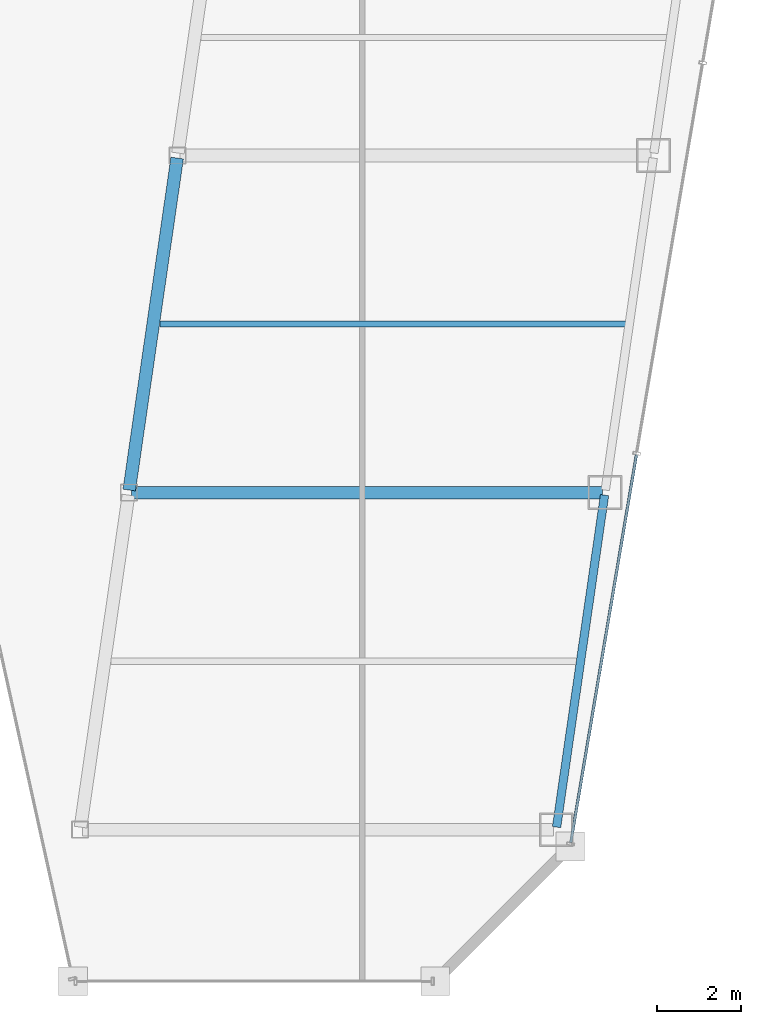
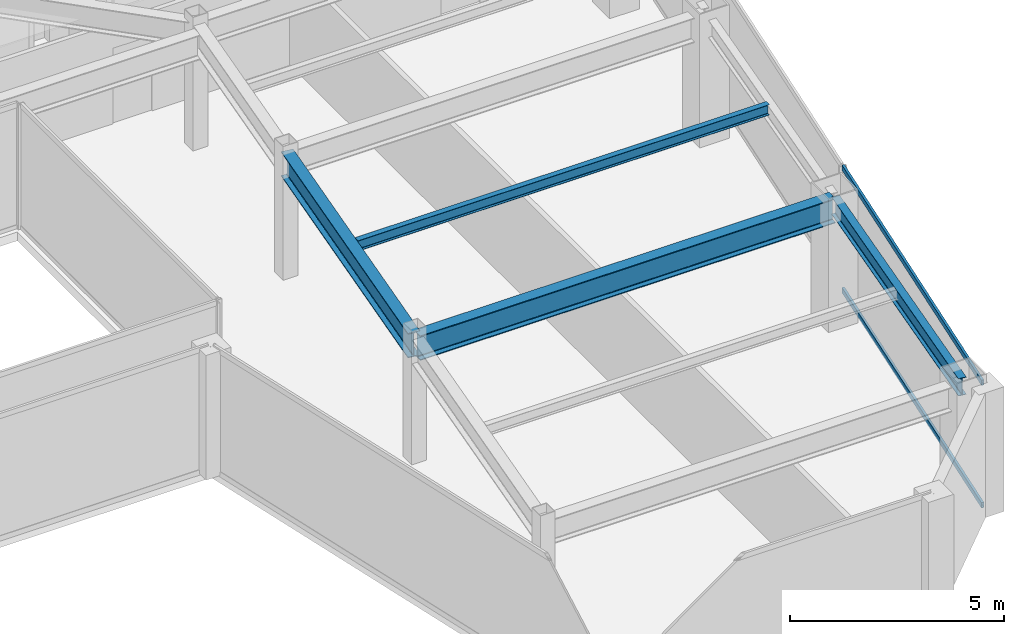
# One storey, part 19 of 36: 4 beams, 2 members, 1 element without a shape of its own.
"""IFC4 building model written with IfcOpenShell, lengths in metres."""

from ifc_helpers import new_model, si_unit, direction, frame, origin, origin_2d, place, context, subcontext, project, spatial, hollow_rectangle, i_section, extrude, material, material_profile, profile_set, type_object, element, aggregate, save


model = new_model("IFC4")

# Units and contexts
model_context = context("Model", 3, precision=1e-05, world=origin(), true_north=direction((0.0, 1.0)))
body_context = subcontext(model_context, "Body", "Model", "MODEL_VIEW")
ifc_project = project(units=[si_unit("LENGTHUNIT", "METRE"), si_unit("AREAUNIT", "SQUARE_METRE"), si_unit("VOLUMEUNIT", "CUBIC_METRE"), si_unit("PLANEANGLEUNIT", "RADIAN"), si_unit("MASSUNIT", "GRAM", prefix="KILO")], contexts=[model_context])

# Site, building, storey
site_placement = place(None, origin())
site = spatial("IfcSite", under=ifc_project, at=site_placement, CompositionType="ELEMENT")
building_placement = place(site_placement, origin())
building = spatial("IfcBuilding", under=site, at=building_placement, Name="Saevonmaru Cultural Tower", CompositionType="ELEMENT")
storey_placement = place(building_placement, frame((0.0, 0.0, 198.0)))
storey = spatial("IfcBuildingStorey", under=building, at=storey_placement, Name="L45", CompositionType="ELEMENT", Elevation=198.0)

# Beams
ifc_material_1 = material(Name="Steel SM355", Category="steel")
ifc_material_profile_1 = material_profile(ifc_material_1, i_section(OverallWidth=0.300048828125, OverallDepth=0.699951171875, WebThickness=0.012939453125, FlangeThickness=0.02392578125, FilletRadius=0.02587890625, at=origin_2d()), Name="H-700x300x13x24")
ifc_profile_set_1 = profile_set([ifc_material_profile_1], Name="Steel SM355")
beam_type_1 = type_object("IfcBeamType", Name="BM-G-H700", PredefinedType="BEAM", material=ifc_profile_set_1)
beam_1_placement = place(storey_placement, frame((39.236572265625, 24.059326171875, 3.199951171875), z_axis=(0.142902032203, 0.989736838353, 0.0), x_axis=(-0.989736838353, 0.142902032203, 0.0)))
element("IfcBeam", 1, at=beam_1_placement, inside=storey, type_object=beam_type_1, Name="L45 East Atrium Girder 2", PredefinedType="BEAM", context=body_context, shape_type="SweptSolid", body=[
    extrude(i_section(OverallWidth=0.300048828125, OverallDepth=0.699951171875, WebThickness=0.012939453125, FlangeThickness=0.02392578125, FilletRadius=0.02587890625, at=origin_2d()), origin(), (0.0, 0.0, 1.0), 7.963134765625),
])
beam_2_placement = place(storey_placement, frame((39.2880859375, 24.0, 3.199951171875), z_axis=(1.0, 0.0, 0.0), x_axis=(0.0, 1.0, 0.0)))
element("IfcBeam", 2, at=beam_2_placement, inside=storey, type_object=beam_type_1, Name="L45 East Wing Transverse Girder 2", PredefinedType="BEAM", context=body_context, shape_type="SweptSolid", body=[
    extrude(i_section(OverallWidth=0.300048828125, OverallDepth=0.699951171875, WebThickness=0.012939453125, FlangeThickness=0.02392578125, FilletRadius=0.02587890625, at=origin_2d()), origin(), (0.0, 0.0, 1.0), 11.179931640625),
])
ifc_material_profile_2 = material_profile(ifc_material_1, i_section(OverallWidth=0.14990234375, OverallDepth=0.300048828125, WebThickness=0.006591796875, FlangeThickness=0.009033203125, FilletRadius=0.012939453125, at=origin_2d()), Name="H-300x150x6.5x9")
ifc_profile_set_2 = profile_set([ifc_material_profile_2], Name="Steel SM355")
beam_type_2 = type_object("IfcBeamType", Name="BM-J-H300", PredefinedType="JOIST", material=ifc_profile_set_2)
beam_3_placement = place(storey_placement, frame((39.96337890625, 28.0, 3.39990234375), z_axis=(1.0, 0.0, 0.0), x_axis=(0.0, 1.0, 0.0)))
element("IfcBeam", 3, at=beam_3_placement, inside=storey, type_object=beam_type_2, Name="L45 East Wing Floor Joist 2", PredefinedType="JOIST", context=body_context, shape_type="SweptSolid", body=[
    extrude(i_section(OverallWidth=0.14990234375, OverallDepth=0.300048828125, WebThickness=0.006591796875, FlangeThickness=0.009033203125, FilletRadius=0.012939453125, at=origin_2d()), origin(), (0.0, 0.0, 1.0), 11.08203125),
])
ifc_material_profile_3 = material_profile(ifc_material_1, i_section(OverallWidth=0.199951171875, OverallDepth=0.5, WebThickness=0.010009765625, FlangeThickness=0.01611328125, FilletRadius=0.02001953125, at=origin_2d()), Name="H-500x200x10x16")
ifc_profile_set_3 = profile_set([ifc_material_profile_3], Name="Steel SM355")
beam_type_3 = type_object("IfcBeamType", Name="BM-SP-H500", PredefinedType="SPANDREL", material=ifc_profile_set_3)
beam_4_placement = place(storey_placement, frame((49.380615234375, 16.059326171875, 3.300048828125), z_axis=(0.142992129437, 0.989723825579, 0.0), x_axis=(-0.989723825579, 0.142992129437, 0.0)))
element("IfcBeam", 4, at=beam_4_placement, inside=storey, type_object=beam_type_3, Name="L45 East Splayed Spandrel 1", PredefinedType="SPANDREL", context=body_context, shape_type="SweptSolid", body=[
    extrude(i_section(OverallWidth=0.199951171875, OverallDepth=0.5, WebThickness=0.010009765625, FlangeThickness=0.01611328125, FilletRadius=0.02001953125, at=origin_2d()), origin(), (0.0, 0.0, 1.0), 7.963134765625),
])

# Curtain wall, members
ifc_material_2 = material(Name="Satin Bronze Anodised Aluminium", Category="aluminium")
curtain_wall_type = type_object("IfcCurtainWallType", Name="CW-TYP-B", PredefinedType="NOTDEFINED", material=ifc_material_2)
curtain_wall_placement = place(storey_placement, origin())
curtain_wall = element("IfcCurtainWall", 5, at=curtain_wall_placement, inside=storey, type_object=curtain_wall_type, Name="L45 Unitised Curtain Wall E8", PredefinedType="NOTDEFINED")
ifc_material_profile_4 = material_profile(ifc_material_2, hollow_rectangle(XDim=0.06494140625, YDim=0.14990234375, WallThickness=0.00390625, at=origin_2d()), Name="ALU-TRAN-150x65x4")
ifc_profile_set_4 = profile_set([ifc_material_profile_4], Name="Satin Bronze Anodised Aluminium")
member_type = type_object("IfcMemberType", Name="TR-CW-150x65", PredefinedType="USERDEFINED", material=ifc_profile_set_4)
member_1_placement = place(storey_placement, frame((49.717529296875, 15.691162109375, 0.032470703125), z_axis=(0.166921263871, 0.985970228591, 0.0), x_axis=(-0.985970228591, 0.166921263871, 0.0)))
member_1 = element("IfcMember", 6, at=member_1_placement, type_object=member_type, Name="CW-TW-L45-E8 transom 1.1", ObjectType="TRANSOM", PredefinedType="USERDEFINED", context=body_context, shape_type="SweptSolid", body=[
    extrude(hollow_rectangle(XDim=0.06494140625, YDim=0.14990234375, WallThickness=0.00390625, at=origin_2d()), origin(), (0.0, 0.0, 1.0), 9.33740234375),
])
member_2_placement = place(storey_placement, frame((49.717529296875, 15.691162109375, 3.517578125), z_axis=(0.166921263871, 0.985970228591, 0.0), x_axis=(-0.985970228591, 0.166921263871, 0.0)))
member_2 = element("IfcMember", 7, at=member_2_placement, type_object=member_type, Name="CW-TW-L45-E8 transom 1.2", ObjectType="TRANSOM", PredefinedType="USERDEFINED", context=body_context, shape_type="SweptSolid", body=[
    extrude(hollow_rectangle(XDim=0.06494140625, YDim=0.14990234375, WallThickness=0.00390625, at=origin_2d()), origin(), (0.0, 0.0, 1.0), 9.33740234375),
])
aggregate(curtain_wall, [member_1, member_2])

save(model, "model.ifc")
